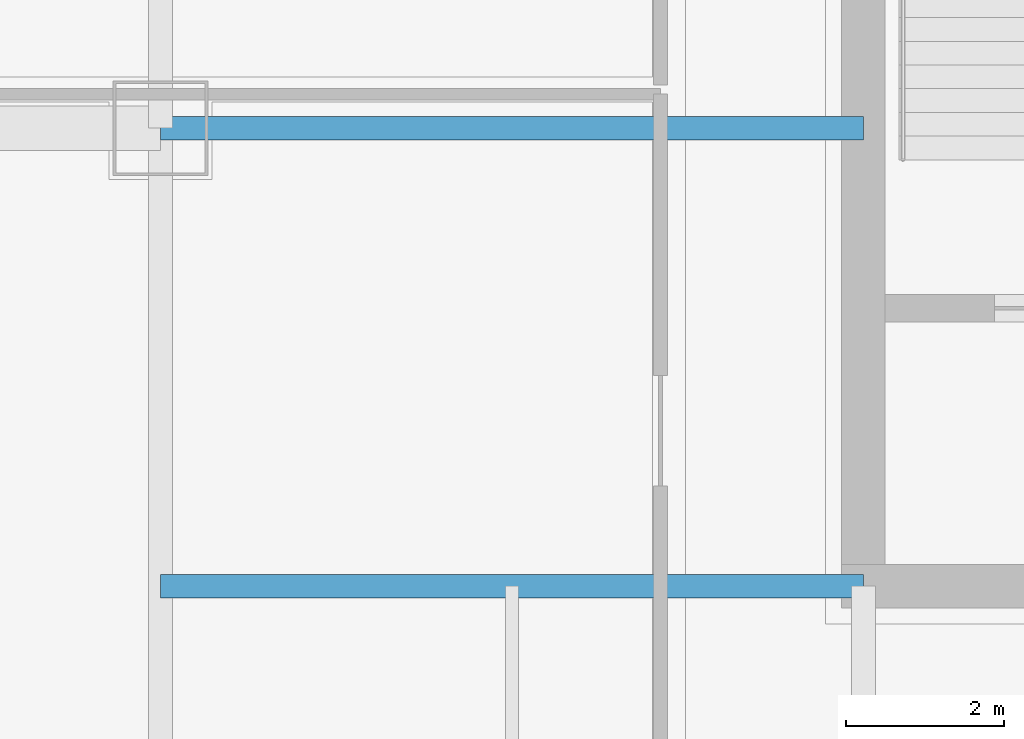
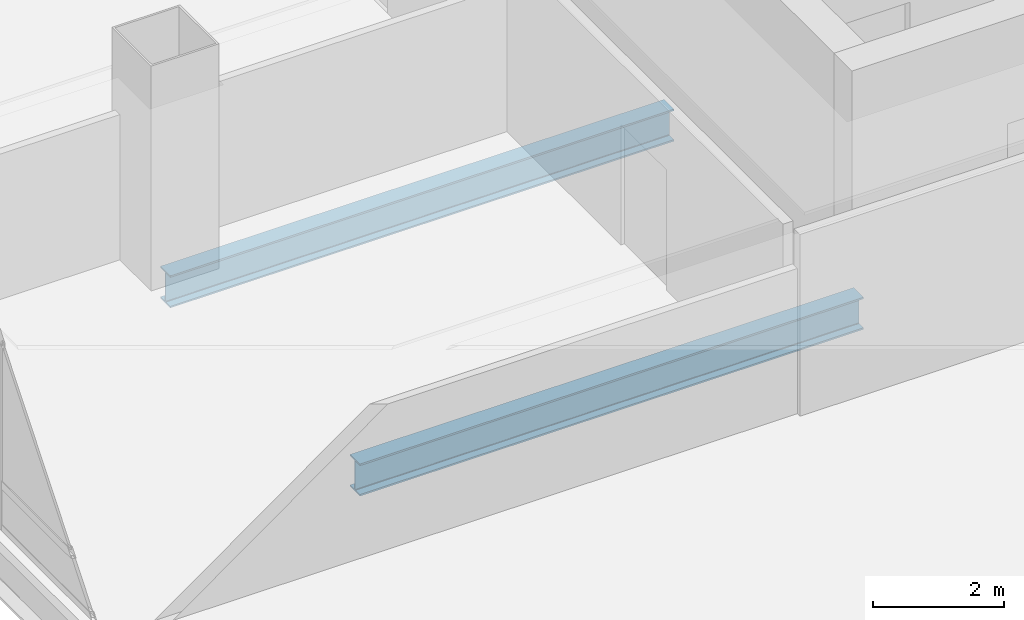
# One storey, part 6 of 41: 2 beams.
"""IFC4 building model written with IfcOpenShell, lengths in metres."""

import ifcopenshell
import ifcopenshell.guid

model = None  # the IFC model being written
_history = None  # IfcOwnerHistory: only IFC2X3 demands one
_inside = {}  # id of a spatial element -> (the spatial element, [elements in it])
_under = {}  # id of a project, library or spatial element -> (it, [spatial elements below it])
_declared = {}  # id of a project -> (the project, [libraries it declares])
_typed = {}  # id of a type object -> (the type object, [elements of that type])
_made_of = {}  # id of a material, layer set ... -> (it, [elements and type objects made of it])


def new_model(schema):
    """Start an empty IFC model of exactly this schema.

    Asked for "IFC4X3", IfcOpenShell would pick the latest addendum, in which some entities
    have other attributes; the version numbers below select the first issue.
    IFC2X3 requires an IfcOwnerHistory on every rooted entity: one is made here for all.
    """
    global model, _history
    if schema == "IFC4X3":
        model = ifcopenshell.file(schema_version=(4, 3, 0, 0))
    else:
        model = ifcopenshell.file(schema=schema)
    _inside.clear()
    _under.clear()
    _declared.clear()
    _typed.clear()
    _made_of.clear()
    _history = None
    if model.schema == "IFC2X3":
        org = make("IfcOrganization", Name="unknown")
        user = make(
            "IfcPersonAndOrganization",
            ThePerson=make("IfcPerson", FamilyName="unknown"),
            TheOrganization=org,
        )
        app = make(
            "IfcApplication",
            ApplicationDeveloper=org,
            Version="unknown",
            ApplicationFullName="unknown",
            ApplicationIdentifier="unknown",
        )
        _history = make(
            "IfcOwnerHistory",
            OwningUser=user,
            OwningApplication=app,
            ChangeAction="ADDED",
            CreationDate=0,
        )
    return model


def make(cls, **values):
    """One entity of the class cls with the attributes given. An attribute that is None is left unset."""
    return model.create_entity(
        cls, **{name: value for name, value in values.items() if value is not None}
    )


def rooted(cls, **values):
    """An entity with a GlobalId (a new one), such as an element, a storey or a relation."""
    return make(cls, GlobalId=ifcopenshell.guid.new(), OwnerHistory=_history, **values)


def si_unit(unit_type, name, prefix=None):
    """IfcSIUnit, for example si_unit("LENGTHUNIT", "METRE", prefix="MILLI")."""
    return make("IfcSIUnit", UnitType=unit_type, Prefix=prefix, Name=name)


def assignment(units):
    """IfcUnitAssignment: the units of a project."""
    return None if units is None else make("IfcUnitAssignment", Units=units)


def point(xyz):
    """IfcCartesianPoint."""
    return None if xyz is None else make("IfcCartesianPoint", Coordinates=xyz)


def direction(xyz):
    """IfcDirection."""
    return None if xyz is None else make("IfcDirection", DirectionRatios=xyz)


def frame(location, z_axis=None, x_axis=None):
    """IfcAxis2Placement3D, a coordinate frame: its origin and axes. An axis left out is left unset."""
    return make(
        "IfcAxis2Placement3D",
        Location=point(location),
        Axis=direction(z_axis),
        RefDirection=direction(x_axis),
    )


def frame_2d(location, x_axis=None):
    """IfcAxis2Placement2D, a coordinate frame in the plane: its origin and x axis."""
    return make(
        "IfcAxis2Placement2D", Location=point(location), RefDirection=direction(x_axis)
    )


def origin():
    """The frame at (0, 0, 0) with its axes left unset."""
    return frame((0.0, 0.0, 0.0))


def origin_2d():
    """The frame at (0, 0) in the plane with its x axis left unset."""
    return frame_2d((0.0, 0.0))


def place(relative_to, where):
    """IfcLocalPlacement: puts the frame where relative to a parent placement (None: the world)."""
    return make(
        "IfcLocalPlacement", PlacementRelTo=relative_to, RelativePlacement=where
    )


def context(
    kind, dimensions, precision=None, world=None, true_north=None, identifier=None
):
    """IfcGeometricRepresentationContext, for example the 3D "Model" context."""
    return make(
        "IfcGeometricRepresentationContext",
        ContextIdentifier=identifier,
        ContextType=kind,
        CoordinateSpaceDimension=dimensions,
        Precision=precision,
        WorldCoordinateSystem=world,
        TrueNorth=true_north,
    )


def subcontext(parent, identifier, kind, view, scale=None):
    """IfcGeometricRepresentationSubContext, for example "Body" below "Model"."""
    return make(
        "IfcGeometricRepresentationSubContext",
        ContextIdentifier=identifier,
        ContextType=kind,
        ParentContext=parent,
        TargetScale=scale,
        TargetView=view,
    )


def project(units=None, contexts=None):
    """IfcProject with its units and contexts."""
    return rooted(
        "IfcProject",
        Name="project",
        RepresentationContexts=contexts,
        UnitsInContext=assignment(units),
    )


def spatial(cls, under=None, at=None, **own):
    """A site, building, storey or space (cls), placed at a placement, below another one or the project."""
    s = rooted(cls, ObjectPlacement=at, **own)
    if under is not None:
        _under.setdefault(under.id(), (under, []))[1].append(s)
    return s


def profile(cls, at=None, kind="AREA", **sizes):
    """A parametric profile (cls). Its sizes go by their IFC names, for example OverallWidth=200.0."""
    return make(cls, ProfileType=kind, Position=at, **sizes)


def i_section(**sizes):
    """IfcIShapeProfileDef."""
    return profile("IfcIShapeProfileDef", **sizes)


def extrude(swept, where, along, depth):
    """IfcExtrudedAreaSolid: the profile swept, set in the frame where, extruded along a direction by depth."""
    return make(
        "IfcExtrudedAreaSolid",
        SweptArea=swept,
        Position=where,
        ExtrudedDirection=direction(along),
        Depth=depth,
    )


def shape(context_of_items, identifier, shape_type, items):
    """IfcShapeRepresentation: the items that make up one representation, for example the "Body"."""
    return make(
        "IfcShapeRepresentation",
        ContextOfItems=context_of_items,
        RepresentationIdentifier=identifier,
        RepresentationType=shape_type,
        Items=items,
    )


def material(Name=None, Category=None):
    """IfcMaterial."""
    return make("IfcMaterial", Name=Name, Category=Category)


def material_profile(
    of_material, cross_section, Name=None, Category=None, Priority=None
):
    """IfcMaterialProfile: a cross section and its material."""
    return make(
        "IfcMaterialProfile",
        Name=Name,
        Material=of_material,
        Profile=cross_section,
        Priority=Priority,
        Category=Category,
    )


def profile_set(profiles, Name=None, composite=None):
    """IfcMaterialProfileSet."""
    return make(
        "IfcMaterialProfileSet",
        Name=Name,
        MaterialProfiles=profiles,
        CompositeProfile=composite,
    )


def made_of(thing, what):
    """Note that an element or type object is made of a material, layer set ...; save() writes the relation."""
    if what is not None:
        _made_of.setdefault(what.id(), (what, []))[1].append(thing)
    return thing


def type_object(cls, material=None, **own):
    """A type object (cls), such as IfcWallType, which elements share."""
    return made_of(rooted(cls, **own), material)


def element(
    cls,
    number,
    at=None,
    inside=None,
    cuts=None,
    type_object=None,
    material=None,
    context=None,
    identifier="Body",
    shape_type=None,
    held_by="IfcProductDefinitionShape",
    body=None,
    shapes=None,
    **own,
):
    """One element of the class cls, such as IfcWall. Its Tag is "e" and its number.

    at: its placement. inside: the storey or other place that contains it. cuts: it is an
    opening in that element (IfcRelVoidsElement). A single representation is given by context,
    identifier, shape_type and body (its items); several are given by shapes. held_by: the class
    of the entity that holds the representations. save() writes the other relations.
    """
    e = rooted(cls, Tag="e%d" % number, ObjectPlacement=at, **own)
    if body is not None:
        shapes = [shape(context, identifier, shape_type, body)]
    if shapes is not None:
        e.Representation = make(held_by, Representations=shapes)
    if inside is not None:
        _inside.setdefault(inside.id(), (inside, []))[1].append(e)
    if cuts is not None:
        rooted(
            "IfcRelVoidsElement", RelatingBuildingElement=cuts, RelatedOpeningElement=e
        )
    if type_object is not None:
        _typed.setdefault(type_object.id(), (type_object, []))[1].append(e)
    return made_of(e, material)


def aggregate(whole, parts):
    """IfcRelAggregates: a whole, such as a stair, and the parts it consists of."""
    return rooted("IfcRelAggregates", RelatingObject=whole, RelatedObjects=parts)


def save(model, path):
    """Write the relations noted so far, then the file.

    IfcRelAggregates (storeys below a building ...), IfcRelContainedInSpatialStructure (elements
    in a storey), IfcRelDefinesByType, IfcRelAssociatesMaterial and IfcRelDeclares: one each for
    every whole, place, type object, material and project.
    """
    for whole, parts in _under.values():
        aggregate(whole, parts)
    for where, things in _inside.values():
        rooted(
            "IfcRelContainedInSpatialStructure",
            RelatedElements=things,
            RelatingStructure=where,
        )
    for kind, things in _typed.values():
        rooted("IfcRelDefinesByType", RelatedObjects=things, RelatingType=kind)
    for what, things in _made_of.values():
        rooted("IfcRelAssociatesMaterial", RelatedObjects=things, RelatingMaterial=what)
    for by, libraries in _declared.values():
        rooted("IfcRelDeclares", RelatingContext=by, RelatedDefinitions=libraries)
    model.write(path)


model = new_model("IFC4")

# Units and contexts
model_context = context("Model", 3, precision=1e-05, world=origin(), true_north=direction((0.0, 1.0)))
body_context = subcontext(model_context, "Body", "Model", "MODEL_VIEW")
ifc_project = project(units=[si_unit("LENGTHUNIT", "METRE"), si_unit("AREAUNIT", "SQUARE_METRE"), si_unit("VOLUMEUNIT", "CUBIC_METRE"), si_unit("PLANEANGLEUNIT", "RADIAN"), si_unit("MASSUNIT", "GRAM", prefix="KILO")], contexts=[model_context])

# Site, building, storey
site_placement = place(None, origin())
site = spatial("IfcSite", under=ifc_project, at=site_placement, CompositionType="ELEMENT")
building_placement = place(site_placement, origin())
building = spatial("IfcBuilding", under=site, at=building_placement, Name="Punatoya Terracotta Tower", CompositionType="ELEMENT")
storey_placement = place(building_placement, frame((0.0, 0.0, 292.199951171875)))
storey = spatial("IfcBuildingStorey", under=building, at=storey_placement, Name="L69", CompositionType="ELEMENT", Elevation=292.199951171875)

# Beams
ifc_material = material(Name="Steel S355", Category="steel")
ifc_material_profile = material_profile(ifc_material, i_section(OverallWidth=0.300048828125, OverallDepth=0.60009765625, WebThickness=0.015380859375, FlangeThickness=0.030029296875, FilletRadius=0.01806640625, at=origin_2d()))
ifc_profile_set = profile_set([ifc_material_profile], Name="Steel S355")
beam_type = type_object("IfcBeamType", Name="BM-PRI-600", PredefinedType="BEAM", material=ifc_profile_set)
for number, where, z_axis, x_axis, name in (
    (1, (-19.10009765625, -9.199951171875, -0.5), (1.0, 0.0, 0.0), (0.0, 1.0, 0.0), "BM-L69-PR-WS"),
    (2, (-19.10009765625, -3.39990234375, -0.5), (1.0, 0.0, 0.0), (0.0, 1.0, 0.0), "BM-L69-PR-WD"),
):
    element("IfcBeam", number, at=place(storey_placement, frame(where, z_axis=z_axis, x_axis=x_axis)), inside=storey, type_object=beam_type, Name=name, PredefinedType="BEAM", context=body_context, shape_type="SweptSolid", body=[
        extrude(i_section(OverallWidth=0.300048828125, OverallDepth=0.60009765625, WebThickness=0.015380859375, FlangeThickness=0.030029296875, FilletRadius=0.01806640625, at=origin_2d()), origin(), (0.0, 0.0, 1.0), 8.900146484375),
    ])

save(model, "model.ifc")
